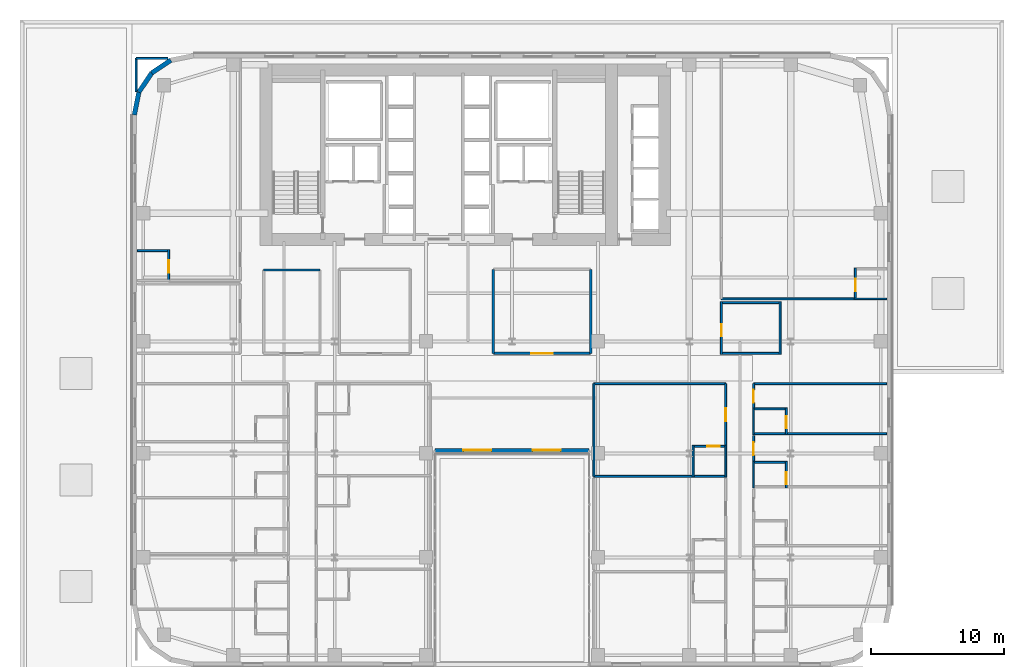
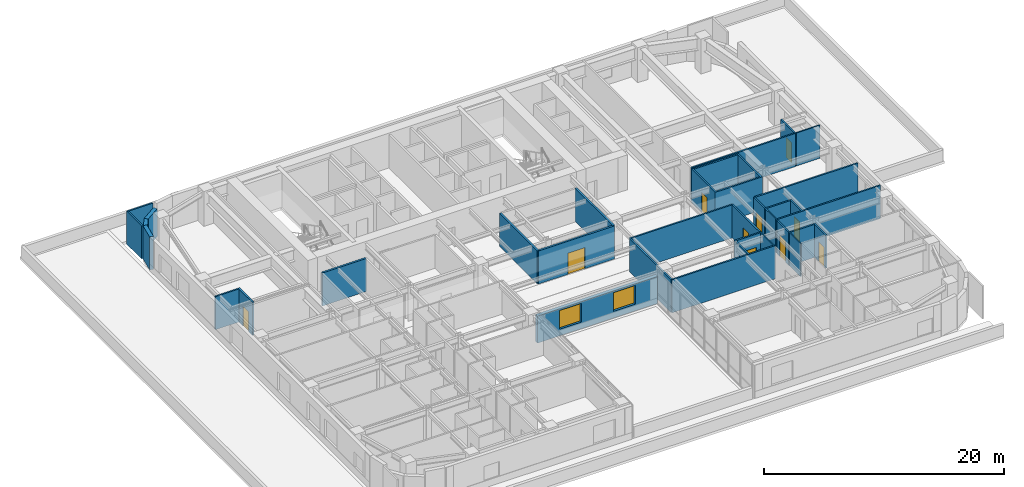
# One storey, part 16 of 25: 36 walls, 10 doors, 2 windows, 12 openings.
"""IFC4 building model written with IfcOpenShell, lengths in metres."""

from ifc_helpers import new_model, si_unit, direction, frame, frame_2d, origin, place, context, subcontext, project, spatial, rectangle, extrude, source, transform, mapped, material, layer, layer_set, type_object, type_shapes, element, fill, save


model = new_model("IFC4")

# Units and contexts
model_context = context("Model", 3, precision=1e-05, world=origin(), true_north=direction((0.0, 1.0)))
body_context = subcontext(model_context, "Body", "Model", "MODEL_VIEW")
ifc_project = project(units=[si_unit("LENGTHUNIT", "METRE"), si_unit("AREAUNIT", "SQUARE_METRE"), si_unit("VOLUMEUNIT", "CUBIC_METRE"), si_unit("PLANEANGLEUNIT", "RADIAN"), si_unit("MASSUNIT", "GRAM", prefix="KILO")], contexts=[model_context])

# Site, building, storey
site_placement = place(None, origin())
site = spatial("IfcSite", under=ifc_project, at=site_placement, CompositionType="ELEMENT")
building_placement = place(site_placement, origin())
building = spatial("IfcBuilding", under=site, at=building_placement, Name="Tolvann Quenvar Hotel", CompositionType="ELEMENT")
storey_placement = place(building_placement, frame((0.0, 0.0, 32.0)))
storey = spatial("IfcBuildingStorey", under=building, at=storey_placement, Name="L06", CompositionType="ELEMENT", Elevation=32.0)

# Wall, openings, windows
ifc_material_1 = material(Name="Kiln-fired red and buff architectural clay brickwork and terracotta masonry", Category="masonry")
ifc_layer_1 = layer(ifc_material_1, 0.35009765625)
ifc_layer_set_1 = layer_set([ifc_layer_1], Name="Kiln-fired red and buff architectural clay brickwork and terracotta masonry")
wall_type_1 = type_object("IfcWallType", Name="WALL_EXT_BRICK_350", PredefinedType="SOLIDWALL", material=ifc_layer_set_1)
wall_1_placement = place(storey_placement, frame((22.7099609375, 16.175048828125, 0.0), z_axis=(0.0, 0.0, 1.0), x_axis=(1.0, 0.0, 0.0)))
wall_1 = element("IfcWall", 1, at=wall_1_placement, inside=storey, type_object=wall_type_1, Name="Exterior Chicago Brick Wall L06-E06", PredefinedType="SOLIDWALL", context=body_context, shape_type="SweptSolid", body=[
    extrude(rectangle(XDim=11.580078125, YDim=0.35009765625, at=frame_2d((5.7900390625, 0.0))), origin(), (0.0, 0.0, 1.0), 2.748046875),
])
opening_1_placement = place(wall_1_placement, frame((2.14501953125, 0.0, 0.679931640625)))
opening_1 = element("IfcOpeningElement", 2, at=opening_1_placement, cuts=wall_1, Name="Opening W-02", PredefinedType="OPENING", context=body_context, shape_type="SweptSolid", body=[
    extrude(rectangle(XDim=2.10009765625, YDim=1.89990234375, at=frame_2d((1.050048828125, 0.949951171875))), frame((0.0, 0.18505859375, 0.0), z_axis=(0.0, -1.0, 0.0), x_axis=(1.0, 0.0, 0.0)), (0.0, 0.0, 1.0), 0.3701171875),
])
opening_2_placement = place(wall_1_placement, frame((7.3349609375, 0.0, 0.679931640625)))
opening_2 = element("IfcOpeningElement", 3, at=opening_2_placement, cuts=wall_1, Name="Opening W-02", PredefinedType="OPENING", context=body_context, shape_type="SweptSolid", body=[
    extrude(rectangle(XDim=2.10009765625, YDim=1.89990234375, at=frame_2d((1.050048828125, 0.949951171875))), frame((0.0, 0.18505859375, 0.0), z_axis=(0.0, -1.0, 0.0), x_axis=(1.0, 0.0, 0.0)), (0.0, 0.0, 1.0), 0.3701171875),
])
ifc_material_2 = material(Name="Thermally broken bronze-anodised aluminium frame with double low-E glazing", Category="aluminium")
window_type = type_object("IfcWindowType", Name="WIN_CHI_2100x2050", PartitioningType="TRIPLE_PANEL_HORIZONTAL", PredefinedType="WINDOW", material=ifc_material_2)
shared_shape_1 = source(origin(), body_context, "Body", "SweptSolid", [
    extrude(rectangle(XDim=2.10009765625, YDim=1.89990234375, at=frame_2d((1.050048828125, 0.949951171875))), frame((0.0, 0.090087890625, 0.0), z_axis=(0.0, -1.0, 0.0), x_axis=(1.0, 0.0, 0.0)), (0.0, 0.0, 1.0), 0.06005859375),
])
type_shapes(window_type, [shared_shape_1])
window_1_placement = place(opening_1_placement, origin())
window_1 = element("IfcWindow", 4, at=window_1_placement, inside=storey, type_object=window_type, Name="Chicago Window W-02 (EW-L06-E06-W01)", OverallHeight=1.89990234375, OverallWidth=2.10009765625, PartitioningType="TRIPLE_PANEL_HORIZONTAL", PredefinedType="WINDOW", context=body_context, shape_type="MappedRepresentation", body=[
    mapped(shared_shape_1, transform((0.0, 0.0, 0.0), x_axis=(1.0, 0.0, 0.0), y_axis=(0.0, 1.0, 0.0), z_axis=(0.0, 0.0, 1.0), scale=1.0)),
])
fill(opening_1, window_1)
window_2_placement = place(opening_2_placement, origin())
window_2 = element("IfcWindow", 5, at=window_2_placement, inside=storey, type_object=window_type, Name="Chicago Window W-02 (EW-L06-E06-W02)", OverallHeight=1.89990234375, OverallWidth=2.10009765625, PartitioningType="TRIPLE_PANEL_HORIZONTAL", PredefinedType="WINDOW", context=body_context, shape_type="MappedRepresentation", body=[
    mapped(shared_shape_1, transform((0.0, 0.0, 0.0), x_axis=(1.0, 0.0, 0.0), y_axis=(0.0, 1.0, 0.0), z_axis=(0.0, 0.0, 1.0), scale=1.0)),
])
fill(opening_2, window_2)

# Walls
for number, where, z_axis, x_axis, name in (
    (6, (2.907958984375, 45.485107421875, 0.0), (0.0, 0.0, 1.0), (-0.831483840845, -0.55554893791, 0.0), "Exterior Chicago Brick Wall L06-E20"),
    (7, (1.473388671875, 44.526611328125, 0.0), (0.0, 0.0, 1.0), (-0.55554893791, -0.831483840845, 0.0), "Exterior Chicago Brick Wall L06-E21"),
):
    element("IfcWall", number, at=place(storey_placement, frame(where, z_axis=z_axis, x_axis=x_axis)), inside=storey, type_object=wall_type_1, Name=name, PredefinedType="SOLIDWALL", context=body_context, shape_type="SweptSolid", body=[
        extrude(rectangle(XDim=1.725341796875, YDim=0.35009765625, at=frame_2d((0.86279296875, 0.0))), origin(), (0.0, 0.0, 1.0), 2.83203125),
    ])
wall_2_placement = place(storey_placement, frame((0.514892578125, 43.092041015625, 0.0), z_axis=(0.0, 0.0, 1.0), x_axis=(-0.195011420161, -0.980800971659, 0.0)))
element("IfcWall", 8, at=wall_2_placement, inside=storey, type_object=wall_type_1, Name="Exterior Chicago Brick Wall L06-E22", PredefinedType="SOLIDWALL", context=body_context, shape_type="SweptSolid", body=[
    extrude(rectangle(XDim=1.74267578125, YDim=0.35009765625, at=frame_2d((0.871337890625, 0.0))), origin(), (0.0, 0.0, 1.0), 3.3701171875),
])
ifc_material_3 = material(Name="Acoustic twin-stud fire-rated gypsum plasterboard partition")
ifc_layer_2 = layer(ifc_material_3, 0.179931640625)
ifc_layer_set_2 = layer_set([ifc_layer_2], Name="Acoustic twin-stud fire-rated gypsum plasterboard partition")
wall_type_2 = type_object("IfcWallType", Name="WALL_PART_ACOUSTIC_180", PredefinedType="PARTITIONING", material=ifc_layer_set_2)
wall_3_placement = place(storey_placement, frame((9.8798828125, 29.75, 0.0), z_axis=(0.0, 0.0, 1.0), x_axis=(1.0, 0.0, 0.0)))
element("IfcWall", 9, at=wall_3_placement, inside=storey, type_object=wall_type_2, Name="Interior Partition PT-SPC-L06-MSP-W-N", PredefinedType="PARTITIONING", context=body_context, shape_type="SweptSolid", body=[
    extrude(rectangle(XDim=4.22021484375, YDim=0.179931640625, at=frame_2d((2.110107421875, 0.0))), origin(), (0.0, 0.0, 1.0), 3.3701171875),
])

# Wall, opening, door
wall_4_placement = place(storey_placement, frame((27.10009765625, 23.5, 0.0), z_axis=(0.0, 0.0, 1.0), x_axis=(1.0, 0.0, 0.0)))
wall_4 = element("IfcWall", 10, at=wall_4_placement, inside=storey, type_object=wall_type_2, Name="Interior Partition PT-SPC-L06-MSP-C-S", PredefinedType="PARTITIONING", context=body_context, shape_type="SweptSolid", body=[
    extrude(rectangle(XDim=7.2998046875, YDim=0.179931640625, at=frame_2d((3.64990234375, 0.0))), origin(), (0.0, 0.0, 1.0), 3.3701171875),
])
opening_3_placement = place(wall_4_placement, frame((2.824951171875, 0.0, 0.0)))
opening_3 = element("IfcOpeningElement", 11, at=opening_3_placement, cuts=wall_4, Name="Opening AD-01", PredefinedType="OPENING", context=body_context, shape_type="SweptSolid", body=[
    extrude(rectangle(XDim=1.64990234375, YDim=2.14990234375, at=frame_2d((0.824951171875, 1.074951171875))), frame((0.0, 0.10009765625, 0.0), z_axis=(0.0, -1.0, 0.0), x_axis=(1.0, 0.0, 0.0)), (0.0, 0.0, 1.0), 0.199951171875),
])
ifc_material_4 = material(Name="Solid-core American oak acoustic fire door leaf in steel frame", Category="steel")
door_type_1 = type_object("IfcDoorType", Name="DOOR_SALON_1650", OperationType="NOTDEFINED", PredefinedType="DOOR", material=ifc_material_4)
shared_shape_2 = source(origin(), body_context, "Body", "SweptSolid", [
    extrude(rectangle(XDim=1.64990234375, YDim=2.14990234375, at=frame_2d((0.824951171875, 1.074951171875))), frame((0.0, 0.02490234375, 0.0), z_axis=(0.0, -1.0, 0.0), x_axis=(1.0, 0.0, 0.0)), (0.0, 0.0, 1.0), 0.050048828125),
])
type_shapes(door_type_1, [shared_shape_2])
door_1_placement = place(opening_3_placement, origin())
door_1 = element("IfcDoor", 12, at=door_1_placement, inside=storey, type_object=door_type_1, Name="Interior Door DOOR-SPC-L06-MSP-C", OperationType="DOUBLE_DOOR_SINGLE_SWING", OverallHeight=2.14990234375, OverallWidth=1.64990234375, PredefinedType="DOOR", context=body_context, shape_type="MappedRepresentation", body=[
    mapped(shared_shape_2, transform((0.0, 0.0, 0.0), x_axis=(1.0, 0.0, 0.0), y_axis=(0.0, 1.0, 0.0), z_axis=(0.0, 0.0, 1.0), scale=1.0)),
])
fill(opening_3, door_1)

# Walls
for number, where, z_axis, x_axis, name in (
    (13, (27.10009765625, 23.5, 0.0), (0.0, 0.0, 1.0), (0.0, 1.0, 0.0), "Interior Partition PT-SPC-L06-MSP-C-W"),
    (14, (34.39990234375, 23.5, 0.0), (0.0, 0.0, 1.0), (0.0, 1.0, 0.0), "Interior Partition PT-SPC-L06-MSP-C-E"),
):
    element("IfcWall", number, at=place(storey_placement, frame(where, z_axis=z_axis, x_axis=x_axis)), inside=storey, type_object=wall_type_2, Name=name, PredefinedType="PARTITIONING", context=body_context, shape_type="SweptSolid", body=[
        extrude(rectangle(XDim=6.300048828125, YDim=0.179931640625, at=frame_2d((3.14990234375, 0.0))), origin(), (0.0, 0.0, 1.0), 3.3701171875),
    ])
ifc_material_5 = material(Name="Moisture-resistant acoustic plumbing wall assembly")
ifc_layer_3 = layer(ifc_material_5, 0.1201171875)
ifc_layer_set_3 = layer_set([ifc_layer_3], Name="Moisture-resistant acoustic plumbing wall assembly")
wall_type_3 = type_object("IfcWallType", Name="WALL_PART_BATH_120", PredefinedType="PLUMBINGWALL", material=ifc_layer_set_3)
wall_5_placement = place(storey_placement, frame((44.530029296875, 14.2099609375, 0.0), z_axis=(0.0, 0.0, 1.0), x_axis=(0.0, 1.0, 0.0)))
element("IfcWall", 15, at=wall_5_placement, inside=storey, type_object=wall_type_3, Name="Non-Rated Plumbing Partition PT-SPC-L06-ENS-EI03-E", PredefinedType="PLUMBINGWALL", context=body_context, shape_type="SweptSolid", body=[
    extrude(rectangle(XDim=2.39013671875, YDim=0.1201171875, at=frame_2d((1.195068359375, 0.0))), origin(), (0.0, 0.0, 1.0), 3.3701171875),
])
for number, where, z_axis, x_axis, name in (
    (16, (46.6201171875, 13.409912109375, 0.0), (0.0, 0.0, 1.0), (0.0, 1.0, 0.0), "Non-Rated Plumbing Partition PT-SPC-L06-ENS-EO04-W"),
    (17, (46.6201171875, 17.409912109375, 0.0), (0.0, 0.0, 1.0), (0.0, 1.0, 0.0), "Non-Rated Plumbing Partition PT-SPC-L06-ENS-EO05-W"),
):
    element("IfcWall", number, at=place(storey_placement, frame(where, z_axis=z_axis, x_axis=x_axis)), inside=storey, type_object=wall_type_3, Name=name, PredefinedType="PLUMBINGWALL", context=body_context, shape_type="SweptSolid", body=[
        extrude(rectangle(XDim=1.989990234375, YDim=0.1201171875, at=frame_2d((0.9951171875, 0.0))), origin(), (0.0, 0.0, 1.0), 3.3701171875),
    ])
wall_6_placement = place(storey_placement, frame((54.179931640625, 27.580078125, 0.0), z_axis=(0.0, 0.0, 1.0), x_axis=(1.0, 0.0, 0.0)))
element("IfcWall", 18, at=wall_6_placement, inside=storey, type_object=wall_type_3, Name="Non-Rated Plumbing Partition PT-SPC-L06-ENS-NE01-S", PredefinedType="PLUMBINGWALL", context=body_context, shape_type="SweptSolid", body=[
    extrude(rectangle(XDim=2.4150390625, YDim=0.1201171875, at=frame_2d((1.20751953125, 0.0))), origin(), (0.0, 0.0, 1.0), 3.3701171875),
])
ifc_layer_4 = layer(ifc_material_3, 0.14990234375)
ifc_layer_set_4 = layer_set([ifc_layer_4], Name="Acoustic twin-stud fire-rated gypsum plasterboard partition")
wall_type_4 = type_object("IfcWallType", Name="WALL_PART_SUITE_150", PredefinedType="PARTITIONING", material=ifc_layer_set_4)
wall_7_placement = place(storey_placement, frame((42.080078125, 14.2099609375, 0.0), z_axis=(0.0, 0.0, 1.0), x_axis=(0.0, 1.0, 0.0)))
element("IfcWall", 19, at=wall_7_placement, inside=storey, type_object=wall_type_4, Name="Interior Partition PT-SPC-L06-ENS-EI03-ENT", PredefinedType="PARTITIONING", context=body_context, shape_type="SweptSolid", body=[
    extrude(rectangle(XDim=2.39013671875, YDim=0.14990234375, at=frame_2d((1.195068359375, 0.0))), origin(), (0.0, 0.0, 1.0), 3.3701171875),
])
wall_8_placement = place(storey_placement, frame((34.64990234375, 14.280029296875, 0.0), z_axis=(0.0, 0.0, 1.0), x_axis=(1.0, 0.0, 0.0)))
element("IfcWall", 20, at=wall_8_placement, inside=storey, type_object=wall_type_4, Name="Interior Partition PT-SPC-L06-ENS-EI03-S", PredefinedType="PARTITIONING", context=body_context, shape_type="SweptSolid", body=[
    extrude(rectangle(XDim=9.9501953125, YDim=0.14990234375, at=frame_2d((4.97509765625, 0.0))), origin(), (0.0, 0.0, 1.0), 3.3701171875),
])

# Wall, opening, door
wall_9_placement = place(storey_placement, frame((42.010009765625, 16.530029296875, 0.0), z_axis=(0.0, 0.0, 1.0), x_axis=(1.0, 0.0, 0.0)))
wall_9 = element("IfcWall", 21, at=wall_9_placement, inside=storey, type_object=wall_type_4, Name="Interior Partition PT-SPC-L06-ENS-EI03-N", PredefinedType="PARTITIONING", context=body_context, shape_type="SweptSolid", body=[
    extrude(rectangle(XDim=2.590087890625, YDim=0.14990234375, at=frame_2d((1.294921875, 0.0))), origin(), (0.0, 0.0, 1.0), 3.3701171875),
])
opening_4_placement = place(wall_9_placement, frame((1.135009765625, 0.0, 0.0)))
opening_4 = element("IfcOpeningElement", 22, at=opening_4_placement, cuts=wall_9, Name="Opening WD-01", PredefinedType="OPENING", context=body_context, shape_type="SweptSolid", body=[
    extrude(rectangle(XDim=0.919921875, YDim=2.010009765625, at=frame_2d((0.4599609375, 1.0048828125))), frame((0.0, 0.0849609375, 0.0), z_axis=(0.0, -1.0, 0.0), x_axis=(1.0, 0.0, 0.0)), (0.0, 0.0, 1.0), 0.169921875),
])
door_type_2 = type_object("IfcDoorType", Name="DOOR_WC_920", OperationType="NOTDEFINED", PredefinedType="DOOR", material=ifc_material_4)
shared_shape_3 = source(origin(), body_context, "Body", "SweptSolid", [
    extrude(rectangle(XDim=0.919921875, YDim=2.010009765625, at=frame_2d((0.4599609375, 1.0048828125))), frame((0.0, 0.02490234375, 0.0), z_axis=(0.0, -1.0, 0.0), x_axis=(1.0, 0.0, 0.0)), (0.0, 0.0, 1.0), 0.050048828125),
])
type_shapes(door_type_2, [shared_shape_3])
door_2_placement = place(opening_4_placement, origin())
door_2 = element("IfcDoor", 23, at=door_2_placement, inside=storey, type_object=door_type_2, Name="Interior Door DOOR-SPC-L06-ENS-EI03", OperationType="SINGLE_SWING_RIGHT", OverallHeight=2.010009765625, OverallWidth=0.919921875, PredefinedType="DOOR", context=body_context, shape_type="MappedRepresentation", body=[
    mapped(shared_shape_3, transform((0.0, 0.0, 0.0), x_axis=(1.0, 0.0, 0.0), y_axis=(0.0, 1.0, 0.0), z_axis=(0.0, 0.0, 1.0), scale=1.0)),
])
fill(opening_4, door_2)

wall_10_placement = place(storey_placement, frame((49.070068359375, 13.409912109375, 0.0), z_axis=(0.0, 0.0, 1.0), x_axis=(0.0, 1.0, 0.0)))
wall_10 = element("IfcWall", 24, at=wall_10_placement, inside=storey, type_object=wall_type_4, Name="Interior Partition PT-SPC-L06-ENS-EO04-ENT", PredefinedType="PARTITIONING", context=body_context, shape_type="SweptSolid", body=[
    extrude(rectangle(XDim=1.989990234375, YDim=0.14990234375, at=frame_2d((0.9951171875, 0.0))), origin(), (0.0, 0.0, 1.0), 3.3701171875),
])
opening_5_placement = place(wall_10_placement, frame((0.27001953125, 0.0, 0.0)))
opening_5 = element("IfcOpeningElement", 25, at=opening_5_placement, cuts=wall_10, Name="Opening WD-01", PredefinedType="OPENING", context=body_context, shape_type="SweptSolid", body=[
    extrude(rectangle(XDim=0.919921875, YDim=2.010009765625, at=frame_2d((0.4599609375, 1.0048828125))), frame((0.0, 0.0849609375, 0.0), z_axis=(0.0, -1.0, 0.0), x_axis=(1.0, 0.0, 0.0)), (0.0, 0.0, 1.0), 0.169921875),
])
door_3_placement = place(opening_5_placement, origin())
door_3 = element("IfcDoor", 26, at=door_3_placement, inside=storey, type_object=door_type_2, Name="Interior Door DOOR-SPC-L06-ENS-EO04", OperationType="SINGLE_SWING_RIGHT", OverallHeight=2.010009765625, OverallWidth=0.919921875, PredefinedType="DOOR", context=body_context, shape_type="MappedRepresentation", body=[
    mapped(shared_shape_3, transform((0.0, 0.0, 0.0), x_axis=(1.0, 0.0, 0.0), y_axis=(0.0, 1.0, 0.0), z_axis=(0.0, 0.0, 1.0), scale=1.0)),
])
fill(opening_5, door_3)

# Wall
wall_11_placement = place(storey_placement, frame((46.550048828125, 15.330078125, 0.0), z_axis=(0.0, 0.0, 1.0), x_axis=(1.0, 0.0, 0.0)))
element("IfcWall", 27, at=wall_11_placement, inside=storey, type_object=wall_type_4, Name="Interior Partition PT-SPC-L06-ENS-EO04-N", PredefinedType="PARTITIONING", context=body_context, shape_type="SweptSolid", body=[
    extrude(rectangle(XDim=2.58984375, YDim=0.14990234375, at=frame_2d((1.294921875, 0.0))), origin(), (0.0, 0.0, 1.0), 3.3701171875),
])

# Wall, opening, door
wall_12_placement = place(storey_placement, frame((49.070068359375, 17.409912109375, 0.0), z_axis=(0.0, 0.0, 1.0), x_axis=(0.0, 1.0, 0.0)))
wall_12 = element("IfcWall", 28, at=wall_12_placement, inside=storey, type_object=wall_type_4, Name="Interior Partition PT-SPC-L06-ENS-EO05-ENT", PredefinedType="PARTITIONING", context=body_context, shape_type="SweptSolid", body=[
    extrude(rectangle(XDim=1.989990234375, YDim=0.14990234375, at=frame_2d((0.9951171875, 0.0))), origin(), (0.0, 0.0, 1.0), 3.3701171875),
])
opening_6_placement = place(wall_12_placement, frame((0.465087890625, 0.0, 0.0)))
opening_6 = element("IfcOpeningElement", 29, at=opening_6_placement, cuts=wall_12, Name="Opening WD-01", PredefinedType="OPENING", context=body_context, shape_type="SweptSolid", body=[
    extrude(rectangle(XDim=0.919921875, YDim=2.010009765625, at=frame_2d((0.4599609375, 1.0048828125))), frame((0.0, 0.0849609375, 0.0), z_axis=(0.0, -1.0, 0.0), x_axis=(1.0, 0.0, 0.0)), (0.0, 0.0, 1.0), 0.169921875),
])
door_4_placement = place(opening_6_placement, origin())
door_4 = element("IfcDoor", 30, at=door_4_placement, inside=storey, type_object=door_type_2, Name="Interior Door DOOR-SPC-L06-ENS-EO05", OperationType="SINGLE_SWING_LEFT", OverallHeight=2.010009765625, OverallWidth=0.919921875, PredefinedType="DOOR", context=body_context, shape_type="MappedRepresentation", body=[
    mapped(shared_shape_3, transform((0.0, 0.0, 0.0), x_axis=(1.0, 0.0, 0.0), y_axis=(0.0, 1.0, 0.0), z_axis=(0.0, 0.0, 1.0), scale=1.0)),
])
fill(opening_6, door_4)

# Walls
wall_13_placement = place(storey_placement, frame((46.550048828125, 17.47998046875, 0.0), z_axis=(0.0, 0.0, 1.0), x_axis=(1.0, 0.0, 0.0)))
element("IfcWall", 31, at=wall_13_placement, inside=storey, type_object=wall_type_4, Name="Interior Partition PT-SPC-L06-ENS-EO05-S", PredefinedType="PARTITIONING", context=body_context, shape_type="SweptSolid", body=[
    extrude(rectangle(XDim=10.044921875, YDim=0.14990234375, at=frame_2d((5.0224609375, 0.0))), origin(), (0.0, 0.0, 1.0), 3.3701171875),
])
wall_14_placement = place(storey_placement, frame((46.550048828125, 19.330078125, 0.0), z_axis=(0.0, 0.0, 1.0), x_axis=(1.0, 0.0, 0.0)))
element("IfcWall", 32, at=wall_14_placement, inside=storey, type_object=wall_type_4, Name="Interior Partition PT-SPC-L06-ENS-EO05-N", PredefinedType="PARTITIONING", context=body_context, shape_type="SweptSolid", body=[
    extrude(rectangle(XDim=2.58984375, YDim=0.14990234375, at=frame_2d((1.294921875, 0.0))), origin(), (0.0, 0.0, 1.0), 3.3701171875),
])

# Wall, opening, door
wall_15_placement = place(storey_placement, frame((2.75, 28.889892578125, 0.0), z_axis=(0.0, 0.0, 1.0), x_axis=(0.0, 1.0, 0.0)))
wall_15 = element("IfcWall", 33, at=wall_15_placement, inside=storey, type_object=wall_type_4, Name="Interior Partition PT-SPC-L06-ENS-NW01-ENT", PredefinedType="PARTITIONING", context=body_context, shape_type="SweptSolid", body=[
    extrude(rectangle(XDim=2.39013671875, YDim=0.14990234375, at=frame_2d((1.195068359375, 0.0))), origin(), (0.0, 0.0, 1.0), 3.3701171875),
])
opening_7_placement = place(wall_15_placement, frame((0.6650390625, 0.0, 0.0)))
opening_7 = element("IfcOpeningElement", 34, at=opening_7_placement, cuts=wall_15, Name="Opening WD-01", PredefinedType="OPENING", context=body_context, shape_type="SweptSolid", body=[
    extrude(rectangle(XDim=0.919921875, YDim=2.010009765625, at=frame_2d((0.4599609375, 1.0048828125))), frame((0.0, 0.0849609375, 0.0), z_axis=(0.0, -1.0, 0.0), x_axis=(1.0, 0.0, 0.0)), (0.0, 0.0, 1.0), 0.169921875),
])
door_5_placement = place(opening_7_placement, origin())
door_5 = element("IfcDoor", 35, at=door_5_placement, inside=storey, type_object=door_type_2, Name="Interior Door DOOR-SPC-L06-ENS-NW01", OperationType="SINGLE_SWING_RIGHT", OverallHeight=2.010009765625, OverallWidth=0.919921875, PredefinedType="DOOR", context=body_context, shape_type="MappedRepresentation", body=[
    mapped(shared_shape_3, transform((0.0, 0.0, 0.0), x_axis=(1.0, 0.0, 0.0), y_axis=(0.0, 1.0, 0.0), z_axis=(0.0, 0.0, 1.0), scale=1.0)),
])
fill(opening_7, door_5)

# Wall
wall_16_placement = place(storey_placement, frame((0.405029296875, 31.2099609375, 0.0), z_axis=(0.0, 0.0, 1.0), x_axis=(1.0, 0.0, 0.0)))
element("IfcWall", 36, at=wall_16_placement, inside=storey, type_object=wall_type_4, Name="Interior Partition PT-SPC-L06-ENS-NW01-N", PredefinedType="PARTITIONING", context=body_context, shape_type="SweptSolid", body=[
    extrude(rectangle(XDim=2.4150390625, YDim=0.14990234375, at=frame_2d((1.20751953125, 0.0))), origin(), (0.0, 0.0, 1.0), 3.3701171875),
])

# Wall, opening, door
wall_17_placement = place(storey_placement, frame((54.25, 27.510009765625, 0.0), z_axis=(0.0, 0.0, 1.0), x_axis=(0.0, 1.0, 0.0)))
wall_17 = element("IfcWall", 37, at=wall_17_placement, inside=storey, type_object=wall_type_4, Name="Interior Partition PT-SPC-L06-ENS-NE01-ENT", PredefinedType="PARTITIONING", context=body_context, shape_type="SweptSolid", body=[
    extrude(rectangle(XDim=2.389892578125, YDim=0.14990234375, at=frame_2d((1.19482421875, 0.0))), origin(), (0.0, 0.0, 1.0), 3.3701171875),
])
opening_8_placement = place(wall_17_placement, frame((0.6650390625, 0.0, 0.0)))
opening_8 = element("IfcOpeningElement", 38, at=opening_8_placement, cuts=wall_17, Name="Opening WD-01", PredefinedType="OPENING", context=body_context, shape_type="SweptSolid", body=[
    extrude(rectangle(XDim=0.919921875, YDim=2.010009765625, at=frame_2d((0.4599609375, 1.0048828125))), frame((0.0, 0.0849609375, 0.0), z_axis=(0.0, -1.0, 0.0), x_axis=(1.0, 0.0, 0.0)), (0.0, 0.0, 1.0), 0.169921875),
])
door_6_placement = place(opening_8_placement, origin())
door_6 = element("IfcDoor", 39, at=door_6_placement, inside=storey, type_object=door_type_2, Name="Interior Door DOOR-SPC-L06-ENS-NE01", OperationType="SINGLE_SWING_LEFT", OverallHeight=2.010009765625, OverallWidth=0.919921875, PredefinedType="DOOR", context=body_context, shape_type="MappedRepresentation", body=[
    mapped(shared_shape_3, transform((0.0, 0.0, 0.0), x_axis=(1.0, 0.0, 0.0), y_axis=(0.0, 1.0, 0.0), z_axis=(0.0, 0.0, 1.0), scale=1.0)),
])
fill(opening_8, door_6)

wall_18_placement = place(storey_placement, frame((44.530029296875, 16.610107421875, 0.0), z_axis=(0.0, 0.0, 1.0), x_axis=(0.0, 1.0, 0.0)))
wall_18 = element("IfcWall", 40, at=wall_18_placement, inside=storey, type_object=wall_type_4, Name="Interior Partition PT-SPC-L06-RM-EI03-ENT", PredefinedType="PARTITIONING", context=body_context, shape_type="SweptSolid", body=[
    extrude(rectangle(XDim=4.60986328125, YDim=0.14990234375, at=frame_2d((2.304931640625, 0.0))), origin(), (0.0, 0.0, 1.0), 3.3701171875),
])
opening_9_placement = place(wall_18_placement, frame((1.794921875, 0.0, 0.0)))
opening_9 = element("IfcOpeningElement", 41, at=opening_9_placement, cuts=wall_18, Name="Opening SD-01", PredefinedType="OPENING", context=body_context, shape_type="SweptSolid", body=[
    extrude(rectangle(XDim=0.97998046875, YDim=2.1201171875, at=frame_2d((0.489990234375, 1.06005859375))), frame((0.0, 0.0849609375, 0.0), z_axis=(0.0, -1.0, 0.0), x_axis=(1.0, 0.0, 0.0)), (0.0, 0.0, 1.0), 0.169921875),
])
door_type_3 = type_object("IfcDoorType", Name="DOOR_SUITE_980", OperationType="NOTDEFINED", PredefinedType="DOOR", material=ifc_material_4)
shared_shape_4 = source(origin(), body_context, "Body", "SweptSolid", [
    extrude(rectangle(XDim=0.97998046875, YDim=2.1201171875, at=frame_2d((0.489990234375, 1.06005859375))), frame((0.0, 0.02490234375, 0.0), z_axis=(0.0, -1.0, 0.0), x_axis=(1.0, 0.0, 0.0)), (0.0, 0.0, 1.0), 0.050048828125),
])
type_shapes(door_type_3, [shared_shape_4])
door_7_placement = place(opening_9_placement, origin())
door_7 = element("IfcDoor", 42, at=door_7_placement, inside=storey, type_object=door_type_3, Name="Interior Door DOOR-SPC-L06-RM-EI03", OperationType="SINGLE_SWING_RIGHT", OverallHeight=2.1201171875, OverallWidth=0.97998046875, PredefinedType="DOOR", context=body_context, shape_type="MappedRepresentation", body=[
    mapped(shared_shape_4, transform((0.0, 0.0, 0.0), x_axis=(1.0, 0.0, 0.0), y_axis=(0.0, 1.0, 0.0), z_axis=(0.0, 0.0, 1.0), scale=1.0)),
])
fill(opening_9, door_7)

# Walls
wall_19_placement = place(storey_placement, frame((34.64990234375, 21.219970703125, 0.0), z_axis=(0.0, 0.0, 1.0), x_axis=(1.0, 0.0, 0.0)))
element("IfcWall", 43, at=wall_19_placement, inside=storey, type_object=wall_type_4, Name="Interior Partition PT-SPC-L06-RM-EI03-E5", PredefinedType="PARTITIONING", context=body_context, shape_type="SweptSolid", body=[
    extrude(rectangle(XDim=9.880126953125, YDim=0.14990234375, at=frame_2d((4.93994140625, 0.0))), origin(), (0.0, 0.0, 1.0), 3.3701171875),
])
wall_20_placement = place(storey_placement, frame((34.64990234375, 14.280029296875, 0.0), z_axis=(0.0, 0.0, 1.0), x_axis=(0.0, 1.0, 0.0)))
element("IfcWall", 44, at=wall_20_placement, inside=storey, type_object=wall_type_4, Name="Interior Partition PT-SPC-L06-RM-EI03-E6", PredefinedType="PARTITIONING", context=body_context, shape_type="SweptSolid", body=[
    extrude(rectangle(XDim=6.93994140625, YDim=0.14990234375, at=frame_2d((3.469970703125, 0.0))), origin(), (0.0, 0.0, 1.0), 3.3701171875),
])

# Wall, opening, door
wall_21_placement = place(storey_placement, frame((46.6201171875, 15.409912109375, 0.0), z_axis=(0.0, 0.0, 1.0), x_axis=(0.0, 1.0, 0.0)))
wall_21 = element("IfcWall", 45, at=wall_21_placement, inside=storey, type_object=wall_type_4, Name="Interior Partition PT-SPC-L06-RM-EO04-ENT", PredefinedType="PARTITIONING", context=body_context, shape_type="SweptSolid", body=[
    extrude(rectangle(XDim=1.91015625, YDim=0.14990234375, at=frame_2d((0.955078125, 0.0))), origin(), (0.0, 0.0, 1.0), 3.3701171875),
])
opening_10_placement = place(wall_21_placement, frame((0.445068359375, 0.0, 0.0)))
opening_10 = element("IfcOpeningElement", 46, at=opening_10_placement, cuts=wall_21, Name="Opening SD-01", PredefinedType="OPENING", context=body_context, shape_type="SweptSolid", body=[
    extrude(rectangle(XDim=0.97998046875, YDim=2.1201171875, at=frame_2d((0.489990234375, 1.06005859375))), frame((0.0, 0.0849609375, 0.0), z_axis=(0.0, -1.0, 0.0), x_axis=(1.0, 0.0, 0.0)), (0.0, 0.0, 1.0), 0.169921875),
])
door_8_placement = place(opening_10_placement, origin())
door_8 = element("IfcDoor", 47, at=door_8_placement, inside=storey, type_object=door_type_3, Name="Interior Door DOOR-SPC-L06-RM-EO04", OperationType="SINGLE_SWING_RIGHT", OverallHeight=2.1201171875, OverallWidth=0.97998046875, PredefinedType="DOOR", context=body_context, shape_type="MappedRepresentation", body=[
    mapped(shared_shape_4, transform((0.0, 0.0, 0.0), x_axis=(1.0, 0.0, 0.0), y_axis=(0.0, 1.0, 0.0), z_axis=(0.0, 0.0, 1.0), scale=1.0)),
])
fill(opening_10, door_8)

wall_22_placement = place(storey_placement, frame((46.6201171875, 19.409912109375, 0.0), z_axis=(0.0, 0.0, 1.0), x_axis=(0.0, 1.0, 0.0)))
wall_22 = element("IfcWall", 48, at=wall_22_placement, inside=storey, type_object=wall_type_4, Name="Interior Partition PT-SPC-L06-RM-EO05-ENT", PredefinedType="PARTITIONING", context=body_context, shape_type="SweptSolid", body=[
    extrude(rectangle(XDim=1.81005859375, YDim=0.14990234375, at=frame_2d((0.905029296875, 0.0))), origin(), (0.0, 0.0, 1.0), 3.3701171875),
])
opening_11_placement = place(wall_22_placement, frame((0.39501953125, 0.0, 0.0)))
opening_11 = element("IfcOpeningElement", 49, at=opening_11_placement, cuts=wall_22, Name="Opening SD-01", PredefinedType="OPENING", context=body_context, shape_type="SweptSolid", body=[
    extrude(rectangle(XDim=0.97998046875, YDim=2.1201171875, at=frame_2d((0.489990234375, 1.06005859375))), frame((0.0, 0.0849609375, 0.0), z_axis=(0.0, -1.0, 0.0), x_axis=(1.0, 0.0, 0.0)), (0.0, 0.0, 1.0), 0.169921875),
])
door_9_placement = place(opening_11_placement, origin())
door_9 = element("IfcDoor", 50, at=door_9_placement, inside=storey, type_object=door_type_3, Name="Interior Door DOOR-SPC-L06-RM-EO05", OperationType="SINGLE_SWING_LEFT", OverallHeight=2.1201171875, OverallWidth=0.97998046875, PredefinedType="DOOR", context=body_context, shape_type="MappedRepresentation", body=[
    mapped(shared_shape_4, transform((0.0, 0.0, 0.0), x_axis=(1.0, 0.0, 0.0), y_axis=(0.0, 1.0, 0.0), z_axis=(0.0, 0.0, 1.0), scale=1.0)),
])
fill(opening_11, door_9)

# Walls
wall_23_placement = place(storey_placement, frame((46.6201171875, 21.219970703125, 0.0), z_axis=(0.0, 0.0, 1.0), x_axis=(1.0, 0.0, 0.0)))
element("IfcWall", 51, at=wall_23_placement, inside=storey, type_object=wall_type_4, Name="Interior Partition PT-SPC-L06-RM-EO05-E5", PredefinedType="PARTITIONING", context=body_context, shape_type="SweptSolid", body=[
    extrude(rectangle(XDim=9.974853515625, YDim=0.14990234375, at=frame_2d((4.9873046875, 0.0))), origin(), (0.0, 0.0, 1.0), 3.3701171875),
])
wall_24_placement = place(storey_placement, frame((0.300048828125, 45.6201171875, 0.0), z_axis=(0.0, 0.0, 1.0), x_axis=(1.0, 0.0, 0.0)))
element("IfcWall", 52, at=wall_24_placement, inside=storey, type_object=wall_type_4, Name="Interior Partition PT-SPC-L06-RM-NW01-E5", PredefinedType="PARTITIONING", context=body_context, shape_type="SweptSolid", body=[
    extrude(rectangle(XDim=2.39599609375, YDim=0.14990234375, at=frame_2d((1.197998046875, 0.0))), origin(), (0.0, 0.0, 1.0), 3.3701171875),
])
wall_25_placement = place(storey_placement, frame((0.300048828125, 43.135009765625, 0.0), z_axis=(0.0, 0.0, 1.0), x_axis=(0.0, 1.0, 0.0)))
element("IfcWall", 53, at=wall_25_placement, inside=storey, type_object=wall_type_4, Name="Interior Partition PT-SPC-L06-RM-NW01-E6", PredefinedType="PARTITIONING", context=body_context, shape_type="SweptSolid", body=[
    extrude(rectangle(XDim=2.485107421875, YDim=0.14990234375, at=frame_2d((1.24267578125, 0.0))), origin(), (0.0, 0.0, 1.0), 3.3701171875),
])

# Wall, opening, door
wall_26_placement = place(storey_placement, frame((44.199951171875, 23.429931640625, 0.0), z_axis=(0.0, 0.0, 1.0), x_axis=(0.0, 1.0, 0.0)))
wall_26 = element("IfcWall", 54, at=wall_26_placement, inside=storey, type_object=wall_type_4, Name="Interior Partition PT-SPC-L06-WCA-ENT", PredefinedType="PARTITIONING", context=body_context, shape_type="SweptSolid", body=[
    extrude(rectangle(XDim=3.940185546875, YDim=0.14990234375, at=frame_2d((1.97021484375, 0.0))), origin(), (0.0, 0.0, 1.0), 3.3701171875),
])
opening_12_placement = place(wall_26_placement, frame((1.340087890625, 0.0, 0.0)))
opening_12 = element("IfcOpeningElement", 55, at=opening_12_placement, cuts=wall_26, Name="Opening WD-01", PredefinedType="OPENING", context=body_context, shape_type="SweptSolid", body=[
    extrude(rectangle(XDim=0.919921875, YDim=2.010009765625, at=frame_2d((0.4599609375, 1.0048828125))), frame((0.0, 0.0849609375, 0.0), z_axis=(0.0, -1.0, 0.0), x_axis=(1.0, 0.0, 0.0)), (0.0, 0.0, 1.0), 0.169921875),
])
door_10_placement = place(opening_12_placement, origin())
door_10 = element("IfcDoor", 56, at=door_10_placement, inside=storey, type_object=door_type_2, Name="Interior Door DOOR-SPC-L06-WCA", OperationType="SINGLE_SWING_LEFT", OverallHeight=2.010009765625, OverallWidth=0.919921875, PredefinedType="DOOR", context=body_context, shape_type="MappedRepresentation", body=[
    mapped(shared_shape_3, transform((0.0, 0.0, 0.0), x_axis=(1.0, 0.0, 0.0), y_axis=(0.0, 1.0, 0.0), z_axis=(0.0, 0.0, 1.0), scale=1.0)),
])
fill(opening_12, door_10)

# Walls
for number, where, z_axis, x_axis, name in (
    (57, (44.1298828125, 23.5, 0.0), (0.0, 0.0, 1.0), (1.0, 0.0, 0.0), "Interior Partition PT-SPC-L06-WCA-S"),
    (58, (44.1298828125, 27.300048828125, 0.0), (0.0, 0.0, 1.0), (1.0, 0.0, 0.0), "Interior Partition PT-SPC-L06-WCA-N"),
):
    element("IfcWall", number, at=place(storey_placement, frame(where, z_axis=z_axis, x_axis=x_axis)), inside=storey, type_object=wall_type_4, Name=name, PredefinedType="PARTITIONING", context=body_context, shape_type="SweptSolid", body=[
        extrude(rectangle(XDim=4.5400390625, YDim=0.14990234375, at=frame_2d((2.27001953125, 0.0))), origin(), (0.0, 0.0, 1.0), 3.3701171875),
    ])
wall_27_placement = place(storey_placement, frame((48.60009765625, 23.429931640625, 0.0), z_axis=(0.0, 0.0, 1.0), x_axis=(0.0, 1.0, 0.0)))
element("IfcWall", 59, at=wall_27_placement, inside=storey, type_object=wall_type_4, Name="Interior Partition PT-SPC-L06-WCA-E", PredefinedType="PARTITIONING", context=body_context, shape_type="SweptSolid", body=[
    extrude(rectangle(XDim=3.940185546875, YDim=0.14990234375, at=frame_2d((1.97021484375, 0.0))), origin(), (0.0, 0.0, 1.0), 3.3701171875),
])
wall_28_placement = place(storey_placement, frame((44.199951171875, 27.580078125, 0.0), z_axis=(0.0, 0.0, 1.0), x_axis=(1.0, 0.0, 0.0)))
element("IfcWall", 60, at=wall_28_placement, inside=storey, type_object=wall_type_4, Name="Interior Partition PT-SPC-L06-RM-NE01-E1", PredefinedType="PARTITIONING", context=body_context, shape_type="SweptSolid", body=[
    extrude(rectangle(XDim=10.030029296875, YDim=0.14990234375, at=frame_2d((5.01513671875, 0.0))), origin(), (0.0, 0.0, 1.0), 3.3701171875),
])

save(model, "model.ifc")
